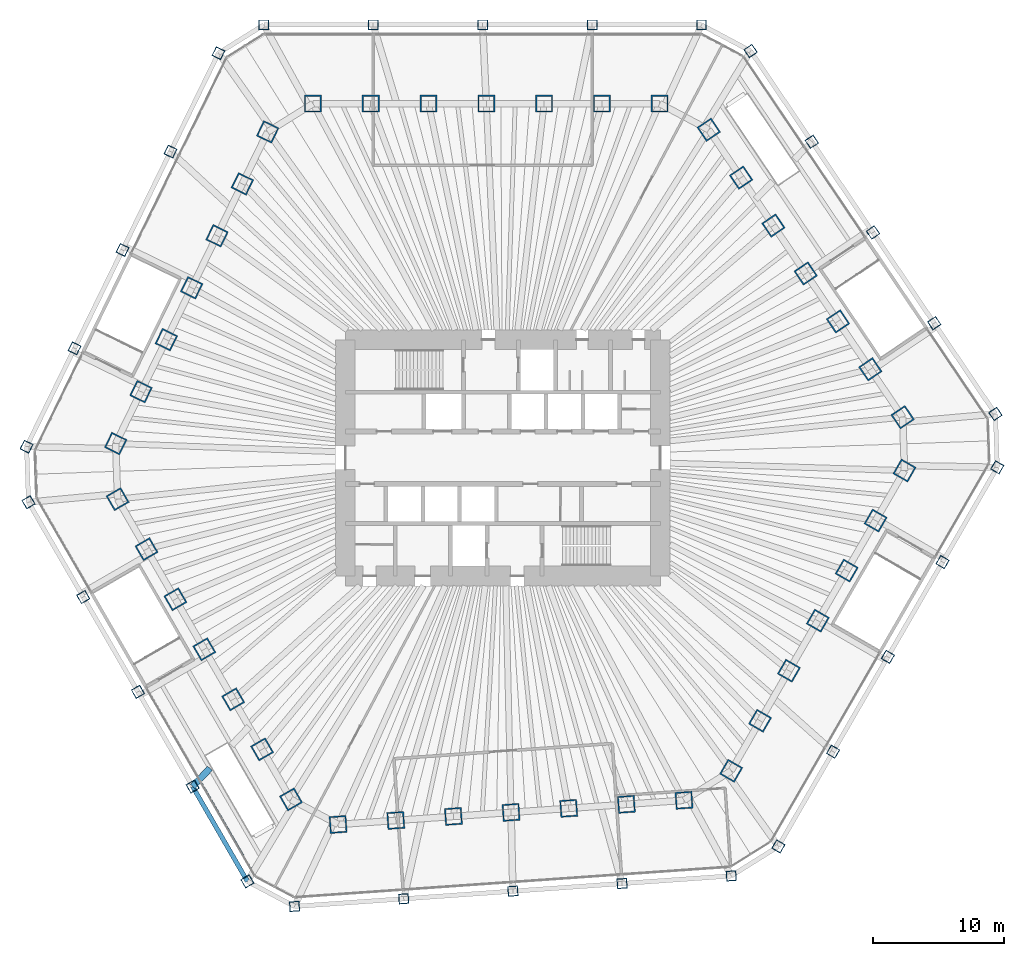
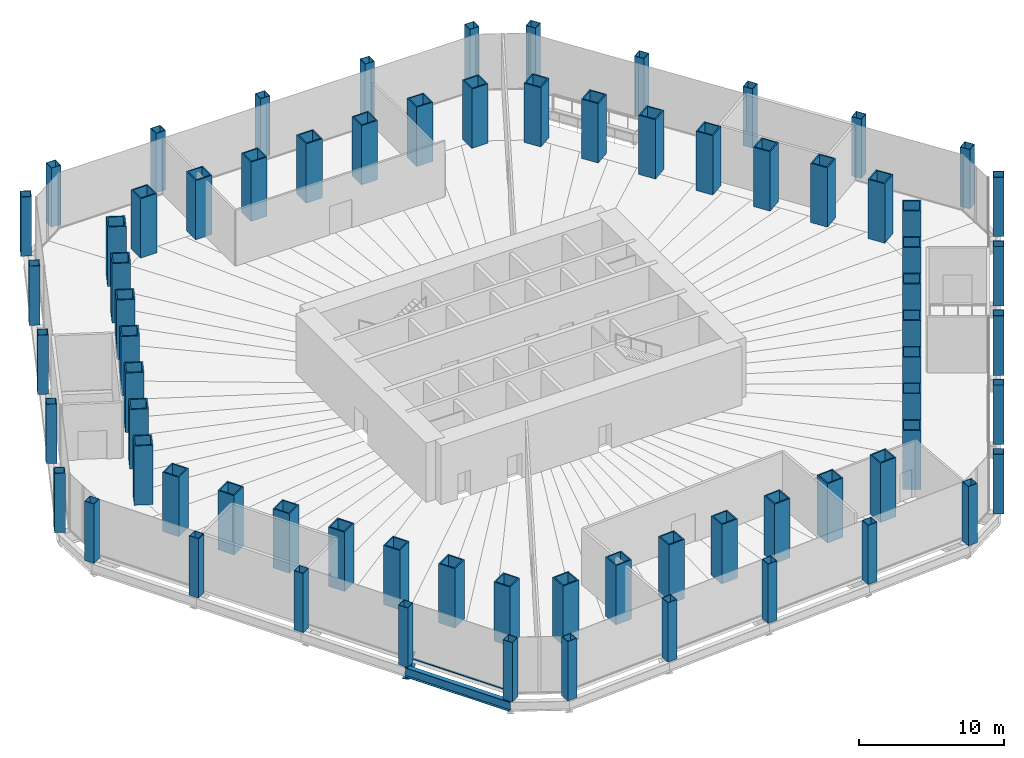
# One storey, part 1 of 18: 72 columns, 2 beams, 1 member, 1 element without a shape of its own.
"""IFC4 building model written with IfcOpenShell, lengths in metres."""

from ifc_helpers import new_model, si_unit, direction, frame, origin, origin_2d, place, context, subcontext, project, spatial, rectangle, hollow_rectangle, i_section, extrude, material, material_profile, profile_set, type_object, element, aggregate, save


model = new_model("IFC4")

# Units and contexts
model_context = context("Model", 3, precision=1e-05, world=origin(), true_north=direction((0.0, 1.0)))
body_context = subcontext(model_context, "Body", "Model", "MODEL_VIEW")
ifc_project = project(units=[si_unit("LENGTHUNIT", "METRE"), si_unit("AREAUNIT", "SQUARE_METRE"), si_unit("VOLUMEUNIT", "CUBIC_METRE"), si_unit("PLANEANGLEUNIT", "RADIAN"), si_unit("MASSUNIT", "GRAM", prefix="KILO")], contexts=[model_context])

# Site, building, storey
site_placement = place(None, origin())
site = spatial("IfcSite", under=ifc_project, at=site_placement, CompositionType="ELEMENT")
building_placement = place(site_placement, origin())
building = spatial("IfcBuilding", under=site, at=building_placement, Name="Qingtian Harvest Tower", CompositionType="ELEMENT")
storey_placement = place(building_placement, frame((0.0, 0.0, 12.0)))
storey = spatial("IfcBuildingStorey", under=building, at=storey_placement, Name="L02", CompositionType="ELEMENT", Elevation=12.0)

# Columns
ifc_material_1 = material(Name="Steel SM570MC", Category="steel")
ifc_material_profile_1 = material_profile(ifc_material_1, hollow_rectangle(XDim=0.75, YDim=0.75, WallThickness=0.035888671875, at=origin_2d()), Name="BOX750x750x36")
ifc_profile_set_1 = profile_set([ifc_material_profile_1], Name="Steel SM570MC")
column_type_1 = type_object("IfcColumnType", Name="Podium column PC1 BOX750x750x36", PredefinedType="COLUMN", material=ifc_profile_set_1)
for number, where, z_axis, x_axis, name in (
    (1, (-18.220703125, 33.0, 0.0), (0.0, 0.0, 1.0), (-1.0, 0.0, 0.0), "Podium column PC1 N0"),
    (2, (-9.87890625, 33.0, 0.0), (0.0, 0.0, 1.0), (-1.0, 0.0, 0.0), "Podium column PC1 N1"),
    (3, (-1.537109375, 33.0, 0.0), (0.0, 0.0, 1.0), (-1.0, 0.0, 0.0), "Podium column PC1 N2"),
    (4, (6.8046875, 33.0, 0.0), (0.0, 0.0, 1.0), (-1.0, 0.0, 0.0), "Podium column PC1 N3"),
    (5, (18.888427734375, 31.01025390625, 0.0), (0.0, 0.0, 1.0), (-0.559192903471, 0.829037572555, 0.0), "Podium column PC1 NE0"),
    (6, (23.55322265625, 24.0947265625, 0.0), (0.0, 0.0, 1.0), (-0.559192903471, 0.829037572555, 0.0), "Podium column PC1 NE1"),
    (7, (28.2177734375, 17.178955078125, 0.0), (0.0, 0.0, 1.0), (-0.559192903471, 0.829037572555, 0.0), "Podium column PC1 NE2"),
    (8, (32.882568359375, 10.263427734375, 0.0), (0.0, 0.0, 1.0), (-0.559192903471, 0.829037572555, 0.0), "Podium column PC1 NE3"),
    (9, (37.689208984375, -0.720458984375, 0.0), (0.0, 0.0, 1.0), (0.5, 0.866025403784, 0.0), "Podium column PC1 SE0"),
    (10, (33.518310546875, -7.944580078125, 0.0), (0.0, 0.0, 1.0), (0.5, 0.866025403784, 0.0), "Podium column PC1 SE1"),
    (11, (29.347412109375, -15.168701171875, 0.0), (0.0, 0.0, 1.0), (0.5, 0.866025403784, 0.0), "Podium column PC1 SE2"),
    (12, (25.176513671875, -22.39306640625, 0.0), (0.0, 0.0, 1.0), (0.5, 0.866025403784, 0.0), "Podium column PC1 SE3"),
    (13, (17.411376953125, -31.863037109375, 0.0), (0.0, 0.0, 1.0), (0.99756405026, 0.069756473744, 0.0), "Podium column PC1 S0"),
    (14, (9.090087890625, -32.44482421875, 0.0), (0.0, 0.0, 1.0), (0.99756405026, 0.069756473744, 0.0), "Podium column PC1 S1"),
    (15, (0.7685546875, -33.02685546875, 0.0), (0.0, 0.0, 1.0), (0.99756405026, 0.069756473744, 0.0), "Podium column PC1 S2"),
    (16, (-7.552978515625, -33.608642578125, 0.0), (0.0, 0.0, 1.0), (0.99756405026, 0.069756473744, 0.0), "Podium column PC1 S3"),
    (17, (-19.468505859375, -32.279541015625, 0.0), (0.0, 0.0, 1.0), (0.5, -0.866025403784, 0.0), "Podium column PC1 SW0"),
    (18, (-23.639404296875, -25.055419921875, 0.0), (0.0, 0.0, 1.0), (0.5, -0.866025403784, 0.0), "Podium column PC1 SW1"),
    (19, (-27.810302734375, -17.831298828125, 0.0), (0.0, 0.0, 1.0), (0.5, -0.866025403784, 0.0), "Podium column PC1 SW2"),
    (20, (-31.981201171875, -10.60693359375, 0.0), (0.0, 0.0, 1.0), (0.5, -0.866025403784, 0.0), "Podium column PC1 SW3"),
    (21, (-36.300048828125, 0.852783203125, 0.0), (0.0, 0.0, 1.0), (-0.438371146789, -0.898794046299, 0.0), "Podium column PC1 NW0"),
    (22, (-32.64306640625, 8.350341796875, 0.0), (0.0, 0.0, 1.0), (-0.438371146789, -0.898794046299, 0.0), "Podium column PC1 NW1"),
    (23, (-28.986328125, 15.847900390625, 0.0), (0.0, 0.0, 1.0), (-0.438371146789, -0.898794046299, 0.0), "Podium column PC1 NW2"),
    (24, (-25.32958984375, 23.345458984375, 0.0), (0.0, 0.0, 1.0), (-0.438371146789, -0.898794046299, 0.0), "Podium column PC1 NW3"),
    (25, (15.146484375, 33.0, 0.0), (0.0, 0.0, 1.0), (-1.0, 0.0, 0.0), "Podium column PC1 N4"),
    (26, (37.547119140625, 3.34765625, 0.0), (0.0, 0.0, 1.0), (-0.559192903471, 0.829037572555, 0.0), "Podium column PC1 NE4"),
    (27, (21.005615234375, -29.6171875, 0.0), (0.0, 0.0, 1.0), (0.5, 0.866025403784, 0.0), "Podium column PC1 SE4"),
    (28, (-15.874267578125, -34.190673828125, 0.0), (0.0, 0.0, 1.0), (0.99756405026, 0.069756473744, 0.0), "Podium column PC1 S4"),
    (29, (-36.152099609375, -3.3828125, 0.0), (0.0, 0.0, 1.0), (0.5, -0.866025403784, 0.0), "Podium column PC1 SW4"),
    (30, (-21.6728515625, 30.8427734375, 0.0), (0.0, 0.0, 1.0), (-0.438371146789, -0.898794046299, 0.0), "Podium column PC1 NW4"),
):
    element("IfcColumn", number, at=place(storey_placement, frame(where, z_axis=z_axis, x_axis=x_axis)), inside=storey, type_object=column_type_1, Name=name, PredefinedType="COLUMN", context=body_context, shape_type="SweptSolid", body=[
        extrude(hollow_rectangle(XDim=0.75, YDim=0.75, WallThickness=0.035888671875, at=origin_2d()), origin(), (0.0, 0.0, 1.0), 5.0),
    ])
ifc_material_2 = material(Name="Steel SM570MC", Category="steel")
ifc_material_profile_2 = material_profile(ifc_material_2, hollow_rectangle(XDim=1.300048828125, YDim=1.300048828125, WallThickness=0.10009765625, at=origin_2d()), Name="BOX1300x1300x100")
ifc_profile_set_2 = profile_set([ifc_material_profile_2], Name="Steel SM570MC")
column_type_2 = type_object("IfcColumnType", Name="Tube column TC1 BOX1300x1300x100", PredefinedType="COLUMN", material=ifc_profile_set_2)
for number, where, z_axis, x_axis, name in (
    (31, (-14.471435546875, 27.0, 0.0), (0.0, 0.0, 1.0), (-1.0, 0.0, 0.0), "Tube column TC1 N0"),
    (32, (-10.06689453125, 27.0, 0.0), (0.0, 0.0, 1.0), (-1.0, 0.0, 0.0), "Tube column TC1 N1"),
    (33, (-5.662353515625, 27.0, 0.0), (0.0, 0.0, 1.0), (-1.0, 0.0, 0.0), "Tube column TC1 N2"),
    (34, (-1.257568359375, 27.0, 0.0), (0.0, 0.0, 1.0), (-1.0, 0.0, 0.0), "Tube column TC1 N3"),
    (35, (3.14697265625, 27.0, 0.0), (0.0, 0.0, 1.0), (-1.0, 0.0, 0.0), "Tube column TC1 N4"),
    (36, (7.551513671875, 27.0, 0.0), (0.0, 0.0, 1.0), (-1.0, 0.0, 0.0), "Tube column TC1 N5"),
    (37, (11.9560546875, 27.0, 0.0), (0.0, 0.0, 1.0), (-1.0, 0.0, 0.0), "Tube column TC1 N6"),
    (38, (15.6982421875, 25.01025390625, 0.0), (0.0, 0.0, 1.0), (-0.559192903471, 0.829037572555, 0.0), "Tube column TC1 NE0"),
    (39, (18.1611328125, 21.358642578125, 0.0), (0.0, 0.0, 1.0), (-0.559192903471, 0.829037572555, 0.0), "Tube column TC1 NE1"),
    (40, (20.624267578125, 17.70703125, 0.0), (0.0, 0.0, 1.0), (-0.559192903471, 0.829037572555, 0.0), "Tube column TC1 NE2"),
    (41, (23.08740234375, 14.0556640625, 0.0), (0.0, 0.0, 1.0), (-0.559192903471, 0.829037572555, 0.0), "Tube column TC1 NE3"),
    (42, (25.55029296875, 10.404052734375, 0.0), (0.0, 0.0, 1.0), (-0.559192903471, 0.829037572555, 0.0), "Tube column TC1 NE4"),
    (43, (28.013427734375, 6.75244140625, 0.0), (0.0, 0.0, 1.0), (-0.559192903471, 0.829037572555, 0.0), "Tube column TC1 NE5"),
    (44, (30.476318359375, 3.100830078125, 0.0), (0.0, 0.0, 1.0), (-0.559192903471, 0.829037572555, 0.0), "Tube column TC1 NE6"),
    (45, (30.618408203125, -0.96728515625, 0.0), (0.0, 0.0, 1.0), (0.5, 0.866025403784, 0.0), "Tube column TC1 SE0"),
    (46, (28.416015625, -4.78173828125, 0.0), (0.0, 0.0, 1.0), (0.5, 0.866025403784, 0.0), "Tube column TC1 SE1"),
    (47, (26.2138671875, -8.596435546875, 0.0), (0.0, 0.0, 1.0), (0.5, 0.866025403784, 0.0), "Tube column TC1 SE2"),
    (48, (24.011474609375, -12.410888671875, 0.0), (0.0, 0.0, 1.0), (0.5, 0.866025403784, 0.0), "Tube column TC1 SE3"),
    (49, (21.809326171875, -16.225341796875, 0.0), (0.0, 0.0, 1.0), (0.5, 0.866025403784, 0.0), "Tube column TC1 SE4"),
    (50, (19.60693359375, -20.039794921875, 0.0), (0.0, 0.0, 1.0), (0.5, 0.866025403784, 0.0), "Tube column TC1 SE5"),
    (51, (17.404541015625, -23.854248046875, 0.0), (0.0, 0.0, 1.0), (0.5, 0.866025403784, 0.0), "Tube column TC1 SE6"),
    (52, (13.810546875, -26.10009765625, 0.0), (0.0, 0.0, 1.0), (0.99756405026, 0.069756473744, 0.0), "Tube column TC1 S0"),
    (53, (9.41650390625, -26.407470703125, 0.0), (0.0, 0.0, 1.0), (0.99756405026, 0.069756473744, 0.0), "Tube column TC1 S1"),
    (54, (5.022705078125, -26.714599609375, 0.0), (0.0, 0.0, 1.0), (0.99756405026, 0.069756473744, 0.0), "Tube column TC1 S2"),
    (55, (0.62890625, -27.02197265625, 0.0), (0.0, 0.0, 1.0), (0.99756405026, 0.069756473744, 0.0), "Tube column TC1 S3"),
    (56, (-3.76513671875, -27.3291015625, 0.0), (0.0, 0.0, 1.0), (0.99756405026, 0.069756473744, 0.0), "Tube column TC1 S4"),
    (57, (-8.158935546875, -27.636474609375, 0.0), (0.0, 0.0, 1.0), (0.99756405026, 0.069756473744, 0.0), "Tube column TC1 S5"),
    (58, (-12.552734375, -27.943603515625, 0.0), (0.0, 0.0, 1.0), (0.99756405026, 0.069756473744, 0.0), "Tube column TC1 S6"),
    (59, (-16.14697265625, -26.03271484375, 0.0), (0.0, 0.0, 1.0), (0.5, -0.866025403784, 0.0), "Tube column TC1 SW0"),
    (60, (-18.349365234375, -22.21826171875, 0.0), (0.0, 0.0, 1.0), (0.5, -0.866025403784, 0.0), "Tube column TC1 SW1"),
    (61, (-20.551513671875, -18.403564453125, 0.0), (0.0, 0.0, 1.0), (0.5, -0.866025403784, 0.0), "Tube column TC1 SW2"),
    (62, (-22.75390625, -14.589111328125, 0.0), (0.0, 0.0, 1.0), (0.5, -0.866025403784, 0.0), "Tube column TC1 SW3"),
    (63, (-24.9560546875, -10.774658203125, 0.0), (0.0, 0.0, 1.0), (0.5, -0.866025403784, 0.0), "Tube column TC1 SW4"),
    (64, (-27.158447265625, -6.960205078125, 0.0), (0.0, 0.0, 1.0), (0.5, -0.866025403784, 0.0), "Tube column TC1 SW5"),
    (65, (-29.36083984375, -3.145751953125, 0.0), (0.0, 0.0, 1.0), (0.5, -0.866025403784, 0.0), "Tube column TC1 SW6"),
    (66, (-29.5087890625, 1.08984375, 0.0), (0.0, 0.0, 1.0), (-0.438371146789, -0.898794046299, 0.0), "Tube column TC1 NW0"),
    (67, (-27.577880859375, 5.048828125, 0.0), (0.0, 0.0, 1.0), (-0.438371146789, -0.898794046299, 0.0), "Tube column TC1 NW1"),
    (68, (-25.64697265625, 9.007568359375, 0.0), (0.0, 0.0, 1.0), (-0.438371146789, -0.898794046299, 0.0), "Tube column TC1 NW2"),
    (69, (-23.716064453125, 12.96630859375, 0.0), (0.0, 0.0, 1.0), (-0.438371146789, -0.898794046299, 0.0), "Tube column TC1 NW3"),
    (70, (-21.78515625, 16.92529296875, 0.0), (0.0, 0.0, 1.0), (-0.438371146789, -0.898794046299, 0.0), "Tube column TC1 NW4"),
    (71, (-19.8544921875, 20.884033203125, 0.0), (0.0, 0.0, 1.0), (-0.438371146789, -0.898794046299, 0.0), "Tube column TC1 NW5"),
    (72, (-17.923583984375, 24.8427734375, 0.0), (0.0, 0.0, 1.0), (-0.438371146789, -0.898794046299, 0.0), "Tube column TC1 NW6"),
):
    element("IfcColumn", number, at=place(storey_placement, frame(where, z_axis=z_axis, x_axis=x_axis)), inside=storey, type_object=column_type_2, Name=name, PredefinedType="COLUMN", context=body_context, shape_type="SweptSolid", body=[
        extrude(hollow_rectangle(XDim=1.300048828125, YDim=1.300048828125, WallThickness=0.10009765625, at=origin_2d()), origin(), (0.0, 0.0, 1.0), 5.0),
    ])

# Beams
ifc_material_3 = material(Name="Steel SM570MC", Category="steel")
ifc_material_profile_3 = material_profile(ifc_material_3, i_section(OverallWidth=0.5, OverallDepth=1.10009765625, WebThickness=0.02490234375, FlangeThickness=0.050048828125, at=origin_2d()), Name="H1100x500x25x50")
ifc_profile_set_3 = profile_set([ifc_material_profile_3], Name="Steel SM570MC")
beam_type_1 = type_object("IfcBeamType", Name="Floor beam FB6 H1100x500x25x50", PredefinedType="BEAM", material=ifc_profile_set_3)
beam_1_placement = place(storey_placement, frame((-23.639404296875, -25.055419921875, -0.800048828125), z_axis=(0.686252290839, 0.727363590867, 0.0), x_axis=(-0.727363590867, 0.686252290839, 0.0)))
element("IfcBeam", 73, at=beam_1_placement, inside=storey, type_object=beam_type_1, Name="Podium floor beam FB6 SW1", PredefinedType="BEAM", context=body_context, shape_type="SweptSolid", body=[
    extrude(i_section(OverallWidth=0.5, OverallDepth=1.10009765625, WebThickness=0.02490234375, FlangeThickness=0.050048828125, at=origin_2d()), origin(), (0.0, 0.0, 1.0), 1.912109375),
])
ifc_material_4 = material(Name="Steel SN490B", Category="steel")
ifc_material_profile_4 = material_profile(ifc_material_4, i_section(OverallWidth=0.35009765625, OverallDepth=0.800048828125, WebThickness=0.01611328125, FlangeThickness=0.028076171875, at=origin_2d()), Name="H800x350x16x28")
ifc_profile_set_4 = profile_set([ifc_material_profile_4], Name="Steel SN490B")
beam_type_2 = type_object("IfcBeamType", Name="Podium beam PB1 H800x350x16x28", PredefinedType="BEAM", material=ifc_profile_set_4)
beam_2_placement = place(storey_placement, frame((-19.468505859375, -32.279541015625, -0.64990234375), z_axis=(-0.500004511595, 0.866022798998, 0.0), x_axis=(-0.866022798998, -0.500004511595, 0.0)))
element("IfcBeam", 74, at=beam_2_placement, inside=storey, type_object=beam_type_2, Name="Podium edge beam PB1 SW0", PredefinedType="BEAM", context=body_context, shape_type="SweptSolid", body=[
    extrude(i_section(OverallWidth=0.35009765625, OverallDepth=0.800048828125, WebThickness=0.01611328125, FlangeThickness=0.028076171875, at=origin_2d()), origin(), (0.0, 0.0, 1.0), 8.341796875),
])

# Curtain wall, member
ifc_material_5 = material(Name="Bronze-anodised aluminium curtain wall", Category="aluminium")
curtain_wall_type = type_object("IfcCurtainWallType", Name="Curtain wall CW1 podium shopfront", PredefinedType="USERDEFINED", material=ifc_material_5)
curtain_wall_placement = place(storey_placement, origin())
curtain_wall = element("IfcCurtainWall", 75, at=curtain_wall_placement, inside=storey, type_object=curtain_wall_type, Name="Curtain wall CW1 L02 SW0-1", ObjectType="RECESSED CURTAIN WALL", PredefinedType="USERDEFINED")
ifc_material_6 = material(Name="Bronze-anodised aluminium transom", Category="aluminium")
ifc_material_profile_5 = material_profile(ifc_material_6, rectangle(XDim=0.14990234375, YDim=0.06494140625, at=origin_2d()), Name="AL 65x150")
ifc_profile_set_5 = profile_set([ifc_material_profile_5], Name="Bronze-anodised aluminium transom")
member_type = type_object("IfcMemberType", Name="Transom CWT 65x150", PredefinedType="USERDEFINED", material=ifc_profile_set_5)
member_placement = place(storey_placement, frame((-18.894775390625, -31.873291015625, 0.032470703125), z_axis=(-0.499999305434, 0.866025804792, 0.0), x_axis=(-0.866025804792, -0.499999305434, 0.0)))
member = element("IfcMember", 76, at=member_placement, type_object=member_type, Name="CW1 transom 1.1", ObjectType="TRANSOM", PredefinedType="USERDEFINED", context=body_context, shape_type="SweptSolid", body=[
    extrude(rectangle(XDim=0.14990234375, YDim=0.06494140625, at=origin_2d()), origin(), (0.0, 0.0, 1.0), 8.244140625),
])
aggregate(curtain_wall, [member])

save(model, "model.ifc")
